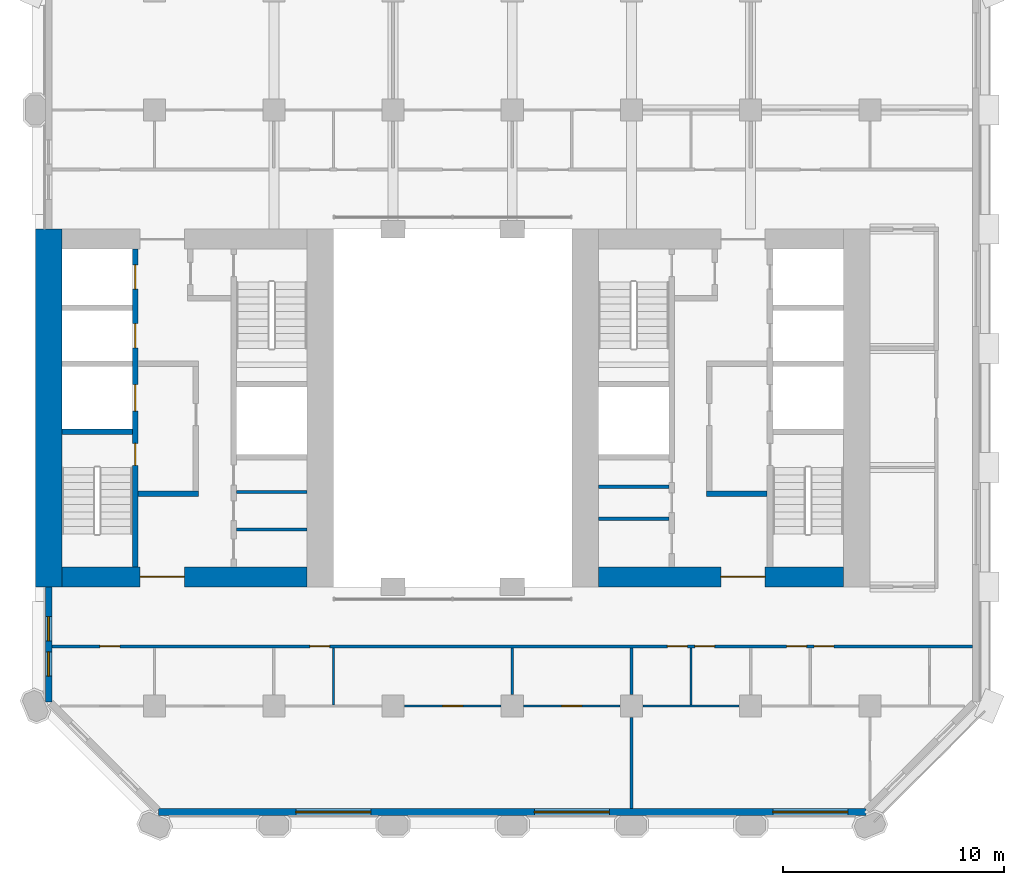
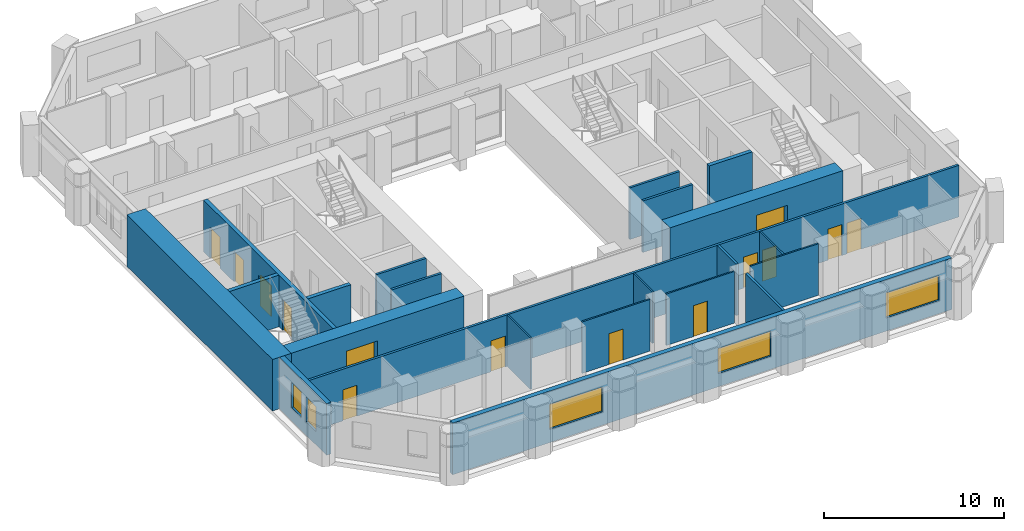
# One storey, part 4 of 11: 22 walls, 14 doors, 5 windows, 19 openings.
"""IFC4 building model written with IfcOpenShell, lengths in metres."""

from ifc_helpers import new_model, si_unit, direction, frame, frame_2d, origin, place, context, subcontext, project, spatial, rectangle, extrude, material, layer, layer_set, type_object, element, fill, save


model = new_model("IFC4")

# Units and contexts
model_context = context("Model", 3, precision=1e-05, world=origin(), true_north=direction((0.0, 1.0)))
body_context = subcontext(model_context, "Body", "Model", "MODEL_VIEW")
ifc_project = project(units=[si_unit("LENGTHUNIT", "METRE"), si_unit("AREAUNIT", "SQUARE_METRE"), si_unit("VOLUMEUNIT", "CUBIC_METRE"), si_unit("PLANEANGLEUNIT", "RADIAN"), si_unit("MASSUNIT", "GRAM", prefix="KILO")], contexts=[model_context])

# Site, building, storey
site_placement = place(None, origin())
site = spatial("IfcSite", under=ifc_project, at=site_placement, CompositionType="ELEMENT")
building_placement = place(site_placement, origin())
building = spatial("IfcBuilding", under=site, at=building_placement, Name="Tabaq Tower and Sports Hall", CompositionType="ELEMENT")
storey_placement = place(building_placement, frame((0.0, 0.0, 84.0)))
storey = spatial("IfcBuildingStorey", under=building, at=storey_placement, Name="L19", CompositionType="ELEMENT", Elevation=84.0)

# Walls
ifc_material_1 = material(Name="Blockwork", Category="masonry")
ifc_layer_1 = layer(ifc_material_1, 0.14990234375)
ifc_layer_set_1 = layer_set([ifc_layer_1], Name="Core room partition 150 Blockwork")
wall_type_1 = type_object("IfcWallType", Name="Core room partition 150 Blockwork", PredefinedType="PARTITIONING", material=ifc_layer_set_1)
for number, where, z_axis, x_axis, name in (
    (1, (14.5, 18.797119140625, 0.0), (0.0, 0.0, 1.0), (1.0, 0.0, 0.0), "Core room partition W L19"),
    (2, (14.5, 20.493896484375, 0.0), (0.0, 0.0, 1.0), (1.0, 0.0, 0.0), "Core room partition W L19"),
):
    element("IfcWall", number, at=place(storey_placement, frame(where, z_axis=z_axis, x_axis=x_axis)), inside=storey, type_object=wall_type_1, Name=name, PredefinedType="PARTITIONING", context=body_context, shape_type="SweptSolid", body=[
        extrude(rectangle(XDim=3.199951171875, YDim=0.14990234375, at=frame_2d((1.60009765625, 0.0))), origin(), (0.0, 0.0, 1.0), 3.5),
    ])
for number, where, z_axis, x_axis, name in (
    (3, (30.89990234375, 19.282958984375, 0.0), (0.0, 0.0, 1.0), (1.0, 0.0, 0.0), "Core room partition E L19"),
    (4, (30.89990234375, 20.738037109375, 0.0), (0.0, 0.0, 1.0), (1.0, 0.0, 0.0), "Core room partition E L19"),
):
    element("IfcWall", number, at=place(storey_placement, frame(where, z_axis=z_axis, x_axis=x_axis)), inside=storey, type_object=wall_type_1, Name=name, PredefinedType="PARTITIONING", context=body_context, shape_type="SweptSolid", body=[
        extrude(rectangle(XDim=3.2001953125, YDim=0.14990234375, at=frame_2d((1.60009765625, 0.0))), origin(), (0.0, 0.0, 1.0), 3.5),
    ])
ifc_material_2 = material(Name="Concrete C60/75", Category="concrete")
ifc_layer_2 = layer(ifc_material_2, 1.199951171875)
ifc_layer_set_2 = layer_set([ifc_layer_2], Name="Core wall 1200 Concrete C60/75")
wall_type_2 = type_object("IfcWallType", Name="Core wall 1200 Concrete C60/75", PredefinedType="SOLIDWALL", material=ifc_layer_set_2)
wall_1_placement = place(storey_placement, frame((6.0, 16.199951171875, 0.0), z_axis=(0.0, 0.0, 1.0), x_axis=(0.0, 1.0, 0.0)))
element("IfcWall", 5, at=wall_1_placement, inside=storey, type_object=wall_type_2, Name="Core wall W L19", PredefinedType="SOLIDWALL", context=body_context, shape_type="SweptSolid", body=[
    extrude(rectangle(XDim=16.199951171875, YDim=1.199951171875, at=frame_2d((8.10009765625, 0.0))), origin(), (0.0, 0.0, 1.0), 3.5),
])

# Wall, opening, door
ifc_material_3 = material(Name="Concrete C60/75", Category="concrete")
ifc_layer_3 = layer(ifc_material_3, 0.89990234375)
ifc_layer_set_3 = layer_set([ifc_layer_3], Name="Core wall 900 Concrete C60/75")
wall_type_3 = type_object("IfcWallType", Name="Core wall 900 Concrete C60/75", PredefinedType="SOLIDWALL", material=ifc_layer_set_3)
wall_2_placement = place(storey_placement, frame((17.699951171875, 16.64990234375, 0.0), z_axis=(0.0, 0.0, 1.0), x_axis=(-1.0, 0.0, 0.0)))
wall_2 = element("IfcWall", 6, at=wall_2_placement, inside=storey, type_object=wall_type_3, Name="Core wall W L19", PredefinedType="SOLIDWALL", context=body_context, shape_type="SweptSolid", body=[
    extrude(rectangle(XDim=11.099853515625, YDim=0.89990234375, at=frame_2d((5.5498046875, 0.0))), origin(), (0.0, 0.0, 1.0), 3.5),
])
opening_1_placement = place(wall_2_placement, frame((5.550048828125, 0.0, 0.0)))
opening_1 = element("IfcOpeningElement", 7, at=opening_1_placement, cuts=wall_2, Name="Opening PD-WL19-01", PredefinedType="OPENING", context=body_context, shape_type="SweptSolid", body=[
    extrude(rectangle(XDim=2.0, YDim=2.39990234375, at=frame_2d((1.0, 1.199951171875))), frame((0.0, 0.449951171875, 0.0), z_axis=(0.0, -1.0, 0.0), x_axis=(1.0, 0.0, 0.0)), (0.0, 0.0, 1.0), 0.89990234375),
])
ifc_material_4 = material(Name="Steel fire door", Category="steel")
door_type_1 = type_object("IfcDoorType", Name="Core entrance door 2000", OperationType="DOUBLE_DOOR_SINGLE_SWING", PredefinedType="DOOR", material=ifc_material_4)
door_1_placement = place(opening_1_placement, origin())
door_1 = element("IfcDoor", 8, at=door_1_placement, inside=storey, type_object=door_type_1, Name="Core entrance south W L19", OperationType="DOUBLE_DOOR_SINGLE_SWING", OverallHeight=2.39990234375, OverallWidth=2.0, PredefinedType="DOOR", context=body_context, shape_type="SweptSolid", body=[
    extrude(rectangle(XDim=2.0, YDim=2.39990234375, at=frame_2d((1.0, 1.199951171875))), frame((0.0, 0.02490234375, 0.0), z_axis=(0.0, -1.0, 0.0), x_axis=(1.0, 0.0, 0.0)), (0.0, 0.0, 1.0), 0.050048828125),
])
fill(opening_1, door_1)

wall_3_placement = place(storey_placement, frame((42.0, 16.64990234375, 0.0), z_axis=(0.0, 0.0, 1.0), x_axis=(-1.0, 0.0, 0.0)))
wall_3 = element("IfcWall", 9, at=wall_3_placement, inside=storey, type_object=wall_type_3, Name="Core wall E L19", PredefinedType="SOLIDWALL", context=body_context, shape_type="SweptSolid", body=[
    extrude(rectangle(XDim=11.10009765625, YDim=0.89990234375, at=frame_2d((5.550048828125, 0.0))), origin(), (0.0, 0.0, 1.0), 3.5),
])
opening_2_placement = place(wall_3_placement, frame((3.550048828125, 0.0, 0.0)))
opening_2 = element("IfcOpeningElement", 10, at=opening_2_placement, cuts=wall_3, Name="Opening PD-EL19-01", PredefinedType="OPENING", context=body_context, shape_type="SweptSolid", body=[
    extrude(rectangle(XDim=2.0, YDim=2.39990234375, at=frame_2d((1.0, 1.199951171875))), frame((0.0, 0.449951171875, 0.0), z_axis=(0.0, -1.0, 0.0), x_axis=(1.0, 0.0, 0.0)), (0.0, 0.0, 1.0), 0.89990234375),
])
door_2_placement = place(opening_2_placement, origin())
door_2 = element("IfcDoor", 11, at=door_2_placement, inside=storey, type_object=door_type_1, Name="Core entrance south E L19", OperationType="DOUBLE_DOOR_SINGLE_SWING", OverallHeight=2.39990234375, OverallWidth=2.0, PredefinedType="DOOR", context=body_context, shape_type="SweptSolid", body=[
    extrude(rectangle(XDim=2.0, YDim=2.39990234375, at=frame_2d((1.0, 1.199951171875))), frame((0.0, 0.02490234375, 0.0), z_axis=(0.0, -1.0, 0.0), x_axis=(1.0, 0.0, 0.0)), (0.0, 0.0, 1.0), 0.050048828125),
])
fill(opening_2, door_2)

# Wall
ifc_material_5 = material(Name="Gypsum board on steel studs", Category="steel")
ifc_layer_4 = layer(ifc_material_5, 0.10009765625)
ifc_layer_set_4 = layer_set([ifc_layer_4], Name="Partition 100 Gypsum board")
wall_type_4 = type_object("IfcWallType", Name="Partition 100 Gypsum board", PredefinedType="PARTITIONING", material=ifc_layer_set_4)
wall_4_placement = place(storey_placement, frame((18.89990234375, 10.85009765625, 0.0), z_axis=(0.0, 0.0, 1.0), x_axis=(0.0, 1.0, 0.0)))
element("IfcWall", 12, at=wall_4_placement, inside=storey, type_object=wall_type_4, Name="Partition wall L19", PredefinedType="PARTITIONING", context=body_context, shape_type="SweptSolid", body=[
    extrude(rectangle(XDim=2.574951171875, YDim=0.10009765625, at=frame_2d((1.28759765625, 0.0))), origin(), (0.0, 0.0, 1.0), 3.5),
])

# Wall, opening, door
wall_5_placement = place(storey_placement, frame((22.1201171875, 10.800048828125, 0.0), z_axis=(0.0, 0.0, 1.0), x_axis=(1.0, 0.0, 0.0)))
wall_5 = element("IfcWall", 13, at=wall_5_placement, inside=storey, type_object=wall_type_4, Name="Partition wall L19", PredefinedType="PARTITIONING", context=body_context, shape_type="SweptSolid", body=[
    extrude(rectangle(XDim=4.35986328125, YDim=0.10009765625, at=frame_2d((2.179931640625, 0.0))), origin(), (0.0, 0.0, 1.0), 3.5),
])
opening_3_placement = place(wall_5_placement, frame((1.72998046875, 0.0, 0.0)))
opening_3 = element("IfcOpeningElement", 14, at=opening_3_placement, cuts=wall_5, Name="Opening L19-021", PredefinedType="OPENING", context=body_context, shape_type="SweptSolid", body=[
    extrude(rectangle(XDim=0.89990234375, YDim=2.10009765625, at=frame_2d((0.449951171875, 1.050048828125))), frame((0.0, 0.050048828125, 0.0), z_axis=(0.0, -1.0, 0.0), x_axis=(1.0, 0.0, 0.0)), (0.0, 0.0, 1.0), 0.10009765625),
])
ifc_material_6 = material(Name="Timber leaf in steel frame", Category="steel")
door_type_2 = type_object("IfcDoorType", Name="Internal door 900 left hand", OperationType="SINGLE_SWING_LEFT", PredefinedType="DOOR", material=ifc_material_6)
door_3_placement = place(opening_3_placement, origin())
door_3 = element("IfcDoor", 15, at=door_3_placement, inside=storey, type_object=door_type_2, Name="Internal door L19-021", OperationType="SINGLE_SWING_LEFT", OverallHeight=2.10009765625, OverallWidth=0.89990234375, PredefinedType="DOOR", context=body_context, shape_type="SweptSolid", body=[
    extrude(rectangle(XDim=0.89990234375, YDim=2.10009765625, at=frame_2d((0.449951171875, 1.050048828125))), frame((0.0, 0.02490234375, 0.0), z_axis=(0.0, -1.0, 0.0), x_axis=(1.0, 0.0, 0.0)), (0.0, 0.0, 1.0), 0.050048828125),
])
fill(opening_3, door_3)

# Wall
wall_6_placement = place(storey_placement, frame((27.0, 11.320068359375, 0.0), z_axis=(0.0, 0.0, 1.0), x_axis=(0.0, 1.0, 0.0)))
element("IfcWall", 16, at=wall_6_placement, inside=storey, type_object=wall_type_4, Name="Partition wall L19", PredefinedType="PARTITIONING", context=body_context, shape_type="SweptSolid", body=[
    extrude(rectangle(XDim=2.10498046875, YDim=0.10009765625, at=frame_2d((1.052490234375, 0.0))), origin(), (0.0, 0.0, 1.0), 3.5),
])

# Wall, opening, door
wall_7_placement = place(storey_placement, frame((27.52001953125, 10.800048828125, 0.0), z_axis=(0.0, 0.0, 1.0), x_axis=(1.0, 0.0, 0.0)))
wall_7 = element("IfcWall", 17, at=wall_7_placement, inside=storey, type_object=wall_type_4, Name="Partition wall L19", PredefinedType="PARTITIONING", context=body_context, shape_type="SweptSolid", body=[
    extrude(rectangle(XDim=4.35986328125, YDim=0.10009765625, at=frame_2d((2.179931640625, 0.0))), origin(), (0.0, 0.0, 1.0), 3.5),
])
opening_4_placement = place(wall_7_placement, frame((1.72998046875, 0.0, 0.0)))
opening_4 = element("IfcOpeningElement", 18, at=opening_4_placement, cuts=wall_7, Name="Opening L19-022", PredefinedType="OPENING", context=body_context, shape_type="SweptSolid", body=[
    extrude(rectangle(XDim=0.89990234375, YDim=2.10009765625, at=frame_2d((0.449951171875, 1.050048828125))), frame((0.0, 0.050048828125, 0.0), z_axis=(0.0, -1.0, 0.0), x_axis=(1.0, 0.0, 0.0)), (0.0, 0.0, 1.0), 0.10009765625),
])
ifc_material_7 = material(Name="Timber leaf in steel frame", Category="steel")
door_type_3 = type_object("IfcDoorType", Name="Internal door 900 right hand", OperationType="SINGLE_SWING_RIGHT", PredefinedType="DOOR", material=ifc_material_7)
door_4_placement = place(opening_4_placement, origin())
door_4 = element("IfcDoor", 19, at=door_4_placement, inside=storey, type_object=door_type_3, Name="Internal door L19-022", OperationType="SINGLE_SWING_RIGHT", OverallHeight=2.10009765625, OverallWidth=0.89990234375, PredefinedType="DOOR", context=body_context, shape_type="SweptSolid", body=[
    extrude(rectangle(XDim=0.89990234375, YDim=2.10009765625, at=frame_2d((0.449951171875, 1.050048828125))), frame((0.0, 0.02490234375, 0.0), z_axis=(0.0, -1.0, 0.0), x_axis=(1.0, 0.0, 0.0)), (0.0, 0.0, 1.0), 0.050048828125),
])
fill(opening_4, door_4)

# Walls
wall_8_placement = place(storey_placement, frame((35.10009765625, 10.85009765625, 0.0), z_axis=(0.0, 0.0, 1.0), x_axis=(0.0, 1.0, 0.0)))
element("IfcWall", 20, at=wall_8_placement, inside=storey, type_object=wall_type_4, Name="Partition wall L19", PredefinedType="PARTITIONING", context=body_context, shape_type="SweptSolid", body=[
    extrude(rectangle(XDim=2.574951171875, YDim=0.10009765625, at=frame_2d((1.28759765625, 0.0))), origin(), (0.0, 0.0, 1.0), 3.5),
])
wall_9_placement = place(storey_placement, frame((32.919921875, 10.800048828125, 0.0), z_axis=(0.0, 0.0, 1.0), x_axis=(1.0, 0.0, 0.0)))
element("IfcWall", 21, at=wall_9_placement, inside=storey, type_object=wall_type_4, Name="Partition wall L19", PredefinedType="PARTITIONING", context=body_context, shape_type="SweptSolid", body=[
    extrude(rectangle(XDim=4.360107421875, YDim=0.10009765625, at=frame_2d((2.18017578125, 0.0))), origin(), (0.0, 0.0, 1.0), 3.5),
])

# Wall, openings, doors
ifc_material_8 = material(Name="Blockwork", Category="masonry")
ifc_layer_5 = layer(ifc_material_8, 0.14990234375)
ifc_layer_set_5 = layer_set([ifc_layer_5], Name="Separating wall 150 Blockwork")
wall_type_5 = type_object("IfcWallType", Name="Separating wall 150 Blockwork", PredefinedType="PARTITIONING", material=ifc_layer_set_5)
wall_10_placement = place(storey_placement, frame((6.15087890625, 13.5, 0.0), z_axis=(0.0, 0.0, 1.0), x_axis=(1.0, 0.0, 0.0)))
wall_10 = element("IfcWall", 22, at=wall_10_placement, inside=storey, type_object=wall_type_5, Name="Separating wall L19", PredefinedType="PARTITIONING", context=body_context, shape_type="SweptSolid", body=[
    extrude(rectangle(XDim=41.6982421875, YDim=0.14990234375, at=frame_2d((20.84912109375, 0.0))), origin(), (0.0, 0.0, 1.0), 3.5),
])
opening_5_placement = place(wall_10_placement, frame((11.678955078125, 0.0, 0.0)))
opening_5 = element("IfcOpeningElement", 23, at=opening_5_placement, cuts=wall_10, Name="Opening L19-005", PredefinedType="OPENING", context=body_context, shape_type="SweptSolid", body=[
    extrude(rectangle(XDim=0.89990234375, YDim=2.10009765625, at=frame_2d((0.449951171875, 1.050048828125))), frame((0.0, 0.074951171875, 0.0), z_axis=(0.0, -1.0, 0.0), x_axis=(1.0, 0.0, 0.0)), (0.0, 0.0, 1.0), 0.14990234375),
])
opening_6_placement = place(wall_10_placement, frame((27.87890625, 0.0, 0.0)))
opening_6 = element("IfcOpeningElement", 24, at=opening_6_placement, cuts=wall_10, Name="Opening L19-006", PredefinedType="OPENING", context=body_context, shape_type="SweptSolid", body=[
    extrude(rectangle(XDim=0.89990234375, YDim=2.10009765625, at=frame_2d((0.449951171875, 1.050048828125))), frame((0.0, 0.074951171875, 0.0), z_axis=(0.0, -1.0, 0.0), x_axis=(1.0, 0.0, 0.0)), (0.0, 0.0, 1.0), 0.14990234375),
])
opening_7_placement = place(wall_10_placement, frame((29.118896484375, 0.0, 0.0)))
opening_7 = element("IfcOpeningElement", 25, at=opening_7_placement, cuts=wall_10, Name="Opening L19-007", PredefinedType="OPENING", context=body_context, shape_type="SweptSolid", body=[
    extrude(rectangle(XDim=0.89990234375, YDim=2.10009765625, at=frame_2d((0.449951171875, 1.050048828125))), frame((0.0, 0.074951171875, 0.0), z_axis=(0.0, -1.0, 0.0), x_axis=(1.0, 0.0, 0.0)), (0.0, 0.0, 1.0), 0.14990234375),
])
opening_8_placement = place(wall_10_placement, frame((33.279052734375, 0.0, 0.0)))
opening_8 = element("IfcOpeningElement", 26, at=opening_8_placement, cuts=wall_10, Name="Opening L19-008", PredefinedType="OPENING", context=body_context, shape_type="SweptSolid", body=[
    extrude(rectangle(XDim=0.89990234375, YDim=2.10009765625, at=frame_2d((0.449951171875, 1.050048828125))), frame((0.0, 0.074951171875, 0.0), z_axis=(0.0, -1.0, 0.0), x_axis=(1.0, 0.0, 0.0)), (0.0, 0.0, 1.0), 0.14990234375),
])
opening_9_placement = place(wall_10_placement, frame((2.174072265625, 0.0, 0.0)))
opening_9 = element("IfcOpeningElement", 27, at=opening_9_placement, cuts=wall_10, Name="Opening L19-028", PredefinedType="OPENING", context=body_context, shape_type="SweptSolid", body=[
    extrude(rectangle(XDim=0.89990234375, YDim=2.10009765625, at=frame_2d((0.449951171875, 1.050048828125))), frame((0.0, 0.074951171875, 0.0), z_axis=(0.0, -1.0, 0.0), x_axis=(1.0, 0.0, 0.0)), (0.0, 0.0, 1.0), 0.14990234375),
])
opening_10_placement = place(wall_10_placement, frame((34.51904296875, 0.0, 0.0)))
opening_10 = element("IfcOpeningElement", 28, at=opening_10_placement, cuts=wall_10, Name="Opening L19-034", PredefinedType="OPENING", context=body_context, shape_type="SweptSolid", body=[
    extrude(rectangle(XDim=0.89990234375, YDim=2.10009765625, at=frame_2d((0.449951171875, 1.050048828125))), frame((0.0, 0.074951171875, 0.0), z_axis=(0.0, -1.0, 0.0), x_axis=(1.0, 0.0, 0.0)), (0.0, 0.0, 1.0), 0.14990234375),
])
ifc_material_9 = material(Name="Steel fire door", Category="steel")
door_type_4 = type_object("IfcDoorType", Name="Entrance door 900 left hand", OperationType="SINGLE_SWING_LEFT", PredefinedType="DOOR", material=ifc_material_9)
door_5_placement = place(opening_5_placement, origin())
door_5 = element("IfcDoor", 29, at=door_5_placement, inside=storey, type_object=door_type_4, Name="Entrance door L19-005", OperationType="SINGLE_SWING_LEFT", OverallHeight=2.10009765625, OverallWidth=0.89990234375, PredefinedType="DOOR", context=body_context, shape_type="SweptSolid", body=[
    extrude(rectangle(XDim=0.89990234375, YDim=2.10009765625, at=frame_2d((0.449951171875, 1.050048828125))), frame((0.0, 0.02490234375, 0.0), z_axis=(0.0, -1.0, 0.0), x_axis=(1.0, 0.0, 0.0)), (0.0, 0.0, 1.0), 0.050048828125),
])
fill(opening_5, door_5)
door_6_placement = place(opening_6_placement, origin())
door_6 = element("IfcDoor", 30, at=door_6_placement, inside=storey, type_object=door_type_4, Name="Entrance door L19-006", OperationType="SINGLE_SWING_LEFT", OverallHeight=2.10009765625, OverallWidth=0.89990234375, PredefinedType="DOOR", context=body_context, shape_type="SweptSolid", body=[
    extrude(rectangle(XDim=0.89990234375, YDim=2.10009765625, at=frame_2d((0.449951171875, 1.050048828125))), frame((0.0, 0.02490234375, 0.0), z_axis=(0.0, -1.0, 0.0), x_axis=(1.0, 0.0, 0.0)), (0.0, 0.0, 1.0), 0.050048828125),
])
fill(opening_6, door_6)
door_7_placement = place(opening_7_placement, origin())
door_7 = element("IfcDoor", 31, at=door_7_placement, inside=storey, type_object=door_type_4, Name="Entrance door L19-007", OperationType="SINGLE_SWING_LEFT", OverallHeight=2.10009765625, OverallWidth=0.89990234375, PredefinedType="DOOR", context=body_context, shape_type="SweptSolid", body=[
    extrude(rectangle(XDim=0.89990234375, YDim=2.10009765625, at=frame_2d((0.449951171875, 1.050048828125))), frame((0.0, 0.02490234375, 0.0), z_axis=(0.0, -1.0, 0.0), x_axis=(1.0, 0.0, 0.0)), (0.0, 0.0, 1.0), 0.050048828125),
])
fill(opening_7, door_7)
door_8_placement = place(opening_8_placement, origin())
door_8 = element("IfcDoor", 32, at=door_8_placement, inside=storey, type_object=door_type_4, Name="Entrance door L19-008", OperationType="SINGLE_SWING_LEFT", OverallHeight=2.10009765625, OverallWidth=0.89990234375, PredefinedType="DOOR", context=body_context, shape_type="SweptSolid", body=[
    extrude(rectangle(XDim=0.89990234375, YDim=2.10009765625, at=frame_2d((0.449951171875, 1.050048828125))), frame((0.0, 0.02490234375, 0.0), z_axis=(0.0, -1.0, 0.0), x_axis=(1.0, 0.0, 0.0)), (0.0, 0.0, 1.0), 0.050048828125),
])
fill(opening_8, door_8)
door_9_placement = place(opening_9_placement, origin())
door_9 = element("IfcDoor", 33, at=door_9_placement, inside=storey, type_object=door_type_4, Name="Entrance door L19-028", OperationType="SINGLE_SWING_LEFT", OverallHeight=2.10009765625, OverallWidth=0.89990234375, PredefinedType="DOOR", context=body_context, shape_type="SweptSolid", body=[
    extrude(rectangle(XDim=0.89990234375, YDim=2.10009765625, at=frame_2d((0.449951171875, 1.050048828125))), frame((0.0, 0.02490234375, 0.0), z_axis=(0.0, -1.0, 0.0), x_axis=(1.0, 0.0, 0.0)), (0.0, 0.0, 1.0), 0.050048828125),
])
fill(opening_9, door_9)
door_10_placement = place(opening_10_placement, origin())
door_10 = element("IfcDoor", 34, at=door_10_placement, inside=storey, type_object=door_type_4, Name="Entrance door L19-034", OperationType="SINGLE_SWING_LEFT", OverallHeight=2.10009765625, OverallWidth=0.89990234375, PredefinedType="DOOR", context=body_context, shape_type="SweptSolid", body=[
    extrude(rectangle(XDim=0.89990234375, YDim=2.10009765625, at=frame_2d((0.449951171875, 1.050048828125))), frame((0.0, 0.02490234375, 0.0), z_axis=(0.0, -1.0, 0.0), x_axis=(1.0, 0.0, 0.0)), (0.0, 0.0, 1.0), 0.050048828125),
])
fill(opening_10, door_10)

# Walls
wall_11_placement = place(storey_placement, frame((32.39990234375, 11.320068359375, 0.0), z_axis=(0.0, 0.0, 1.0), x_axis=(0.0, 1.0, 0.0)))
element("IfcWall", 35, at=wall_11_placement, inside=storey, type_object=wall_type_5, Name="Separating wall L19", PredefinedType="PARTITIONING", context=body_context, shape_type="SweptSolid", body=[
    extrude(rectangle(XDim=2.10498046875, YDim=0.14990234375, at=frame_2d((1.052490234375, 0.0))), origin(), (0.0, 0.0, 1.0), 3.5),
])
wall_12_placement = place(storey_placement, frame((32.39990234375, 6.15087890625, 0.0), z_axis=(0.0, 0.0, 1.0), x_axis=(0.0, 1.0, 0.0)))
element("IfcWall", 36, at=wall_12_placement, inside=storey, type_object=wall_type_5, Name="Separating wall L19", PredefinedType="PARTITIONING", context=body_context, shape_type="SweptSolid", body=[
    extrude(rectangle(XDim=4.129150390625, YDim=0.14990234375, at=frame_2d((2.064453125, 0.0))), origin(), (0.0, 0.0, 1.0), 3.5),
])

# Wall, openings, doors
ifc_material_10 = material(Name="Concrete C40/50", Category="concrete")
ifc_layer_6 = layer(ifc_material_10, 0.25)
ifc_layer_set_6 = layer_set([ifc_layer_6], Name="Shaft and stair wall 250 Concrete C40/50")
wall_type_6 = type_object("IfcWallType", Name="Shaft and stair wall 250 Concrete C40/50", PredefinedType="SOLIDWALL", material=ifc_layer_set_6)
wall_13_placement = place(storey_placement, frame((9.925048828125, 17.10009765625, 0.0), z_axis=(0.0, 0.0, 1.0), x_axis=(0.0, 1.0, 0.0)))
wall_13 = element("IfcWall", 37, at=wall_13_placement, inside=storey, type_object=wall_type_6, Name="Shaft wall W L19", PredefinedType="SOLIDWALL", context=body_context, shape_type="SweptSolid", body=[
    extrude(rectangle(XDim=14.39990234375, YDim=0.25, at=frame_2d((7.199951171875, 0.0))), origin(), (0.0, 0.0, 1.0), 3.5),
])
opening_11_placement = place(wall_13_placement, frame((4.60009765625, 0.0, 0.0)))
opening_11 = element("IfcOpeningElement", 38, at=opening_11_placement, cuts=wall_13, Name="Opening SD-WL19-03", PredefinedType="OPENING", context=body_context, shape_type="SweptSolid", body=[
    extrude(rectangle(XDim=1.0, YDim=2.10009765625, at=frame_2d((0.5, 1.050048828125))), frame((0.0, 0.125, 0.0), z_axis=(0.0, -1.0, 0.0), x_axis=(1.0, 0.0, 0.0)), (0.0, 0.0, 1.0), 0.25),
])
opening_12_placement = place(wall_13_placement, frame((7.0625, 0.0, 0.0)))
opening_12 = element("IfcOpeningElement", 39, at=opening_12_placement, cuts=wall_13, Name="Opening LD-FF1-L19", PredefinedType="OPENING", context=body_context, shape_type="SweptSolid", body=[
    extrude(rectangle(XDim=1.199951171875, YDim=2.10009765625, at=frame_2d((0.60009765625, 1.050048828125))), frame((0.0, 0.125, 0.0), z_axis=(0.0, -1.0, 0.0), x_axis=(1.0, 0.0, 0.0)), (0.0, 0.0, 1.0), 0.25),
])
opening_13_placement = place(wall_13_placement, frame((9.925048828125, 0.0, 0.0)))
opening_13 = element("IfcOpeningElement", 40, at=opening_13_placement, cuts=wall_13, Name="Opening LD-LR1-L19", PredefinedType="OPENING", context=body_context, shape_type="SweptSolid", body=[
    extrude(rectangle(XDim=1.10009765625, YDim=2.10009765625, at=frame_2d((0.550048828125, 1.050048828125))), frame((0.0, 0.125, 0.0), z_axis=(0.0, -1.0, 0.0), x_axis=(1.0, 0.0, 0.0)), (0.0, 0.0, 1.0), 0.25),
])
opening_14_placement = place(wall_13_placement, frame((12.58740234375, 0.0, 0.0)))
opening_14 = element("IfcOpeningElement", 41, at=opening_14_placement, cuts=wall_13, Name="Opening LD-LR2-L19", PredefinedType="OPENING", context=body_context, shape_type="SweptSolid", body=[
    extrude(rectangle(XDim=1.10009765625, YDim=2.10009765625, at=frame_2d((0.550048828125, 1.050048828125))), frame((0.0, 0.125, 0.0), z_axis=(0.0, -1.0, 0.0), x_axis=(1.0, 0.0, 0.0)), (0.0, 0.0, 1.0), 0.25),
])
ifc_material_11 = material(Name="Stainless steel", Category="steel")
door_type_5 = type_object("IfcDoorType", Name="Lift landing door 1100", OperationType="DOUBLE_DOOR_SLIDING", PredefinedType="DOOR", material=ifc_material_11)
door_11_placement = place(opening_13_placement, origin())
door_11 = element("IfcDoor", 42, at=door_11_placement, inside=storey, type_object=door_type_5, Name="Lift landing door LR1 W L19", OperationType="DOUBLE_DOOR_SLIDING", OverallHeight=2.10009765625, OverallWidth=1.10009765625, PredefinedType="DOOR", context=body_context, shape_type="SweptSolid", body=[
    extrude(rectangle(XDim=1.10009765625, YDim=2.10009765625, at=frame_2d((0.550048828125, 1.050048828125))), frame((0.0, 0.02490234375, 0.0), z_axis=(0.0, -1.0, 0.0), x_axis=(1.0, 0.0, 0.0)), (0.0, 0.0, 1.0), 0.050048828125),
])
fill(opening_13, door_11)
door_12_placement = place(opening_14_placement, origin())
door_12 = element("IfcDoor", 43, at=door_12_placement, inside=storey, type_object=door_type_5, Name="Lift landing door LR2 W L19", OperationType="DOUBLE_DOOR_SLIDING", OverallHeight=2.10009765625, OverallWidth=1.10009765625, PredefinedType="DOOR", context=body_context, shape_type="SweptSolid", body=[
    extrude(rectangle(XDim=1.10009765625, YDim=2.10009765625, at=frame_2d((0.550048828125, 1.050048828125))), frame((0.0, 0.02490234375, 0.0), z_axis=(0.0, -1.0, 0.0), x_axis=(1.0, 0.0, 0.0)), (0.0, 0.0, 1.0), 0.050048828125),
])
fill(opening_14, door_12)
ifc_material_12 = material(Name="Stainless steel", Category="steel")
door_type_6 = type_object("IfcDoorType", Name="Lift landing door 1200", OperationType="DOUBLE_DOOR_SLIDING", PredefinedType="DOOR", material=ifc_material_12)
door_13_placement = place(opening_12_placement, origin())
door_13 = element("IfcDoor", 44, at=door_13_placement, inside=storey, type_object=door_type_6, Name="Lift landing door FF1 W L19", OperationType="DOUBLE_DOOR_SLIDING", OverallHeight=2.10009765625, OverallWidth=1.199951171875, PredefinedType="DOOR", context=body_context, shape_type="SweptSolid", body=[
    extrude(rectangle(XDim=1.199951171875, YDim=2.10009765625, at=frame_2d((0.60009765625, 1.050048828125))), frame((0.0, 0.02490234375, 0.0), z_axis=(0.0, -1.0, 0.0), x_axis=(1.0, 0.0, 0.0)), (0.0, 0.0, 1.0), 0.050048828125),
])
fill(opening_12, door_13)
ifc_material_13 = material(Name="Steel fire door", Category="steel")
door_type_7 = type_object("IfcDoorType", Name="Stair door 1000", OperationType="SINGLE_SWING_LEFT", PredefinedType="DOOR", material=ifc_material_13)
door_14_placement = place(opening_11_placement, origin())
door_14 = element("IfcDoor", 45, at=door_14_placement, inside=storey, type_object=door_type_7, Name="Stair door ST1 W L19", OperationType="SINGLE_SWING_LEFT", OverallHeight=2.10009765625, OverallWidth=1.0, PredefinedType="DOOR", context=body_context, shape_type="SweptSolid", body=[
    extrude(rectangle(XDim=1.0, YDim=2.10009765625, at=frame_2d((0.5, 1.050048828125))), frame((0.0, 0.02490234375, 0.0), z_axis=(0.0, -1.0, 0.0), x_axis=(1.0, 0.0, 0.0)), (0.0, 0.0, 1.0), 0.050048828125),
])
fill(opening_11, door_14)

# Walls
wall_14_placement = place(storey_placement, frame((6.60009765625, 23.22509765625, 0.0), z_axis=(0.0, 0.0, 1.0), x_axis=(1.0, 0.0, 0.0)))
element("IfcWall", 46, at=wall_14_placement, inside=storey, type_object=wall_type_6, Name="Stair enclosure wall W L19", PredefinedType="SOLIDWALL", context=body_context, shape_type="SweptSolid", body=[
    extrude(rectangle(XDim=3.199951171875, YDim=0.25, at=frame_2d((1.60009765625, 0.0))), origin(), (0.0, 0.0, 1.0), 3.5),
])
for number, where, z_axis, x_axis, name in (
    (47, (10.050048828125, 20.425048828125, 0.0), (0.0, 0.0, 1.0), (1.0, 0.0, 0.0), "Fire-fighting lobby wall W L19"),
    (48, (35.800048828125, 20.425048828125, 0.0), (0.0, 0.0, 1.0), (1.0, 0.0, 0.0), "Fire-fighting lobby wall E L19"),
):
    element("IfcWall", number, at=place(storey_placement, frame(where, z_axis=z_axis, x_axis=x_axis)), inside=storey, type_object=wall_type_6, Name=name, PredefinedType="SOLIDWALL", context=body_context, shape_type="SweptSolid", body=[
        extrude(rectangle(XDim=2.75, YDim=0.25, at=frame_2d((1.375, 0.0))), origin(), (0.0, 0.0, 1.0), 3.5),
    ])

# Wall, openings, windows
ifc_material_14 = material(Name="White precast concrete C60/75", Category="concrete")
ifc_layer_7 = layer(ifc_material_14, 0.300048828125)
ifc_layer_set_7 = layer_set([ifc_layer_7], Name="White precast concrete C60/75 external wall 300")
wall_type_7 = type_object("IfcWallType", Name="White precast concrete C60/75 external wall 300", PredefinedType="SOLIDWALL", material=ifc_layer_set_7)
wall_15_placement = place(storey_placement, frame((10.986328125, 6.0, 0.0), z_axis=(0.0, 0.0, 1.0), x_axis=(1.0, 0.0, 0.0)))
wall_15 = element("IfcWall", 49, at=wall_15_placement, inside=storey, type_object=wall_type_7, Name="External Wall L19 S", PredefinedType="SOLIDWALL", context=body_context, shape_type="SweptSolid", body=[
    extrude(rectangle(XDim=32.02734375, YDim=0.300048828125, at=frame_2d((16.013671875, 0.0))), origin(), (0.0, 0.0, 1.0), 3.5),
])
opening_15_placement = place(wall_15_placement, frame((6.213623046875, 0.0, 0.89990234375)))
opening_15 = element("IfcOpeningElement", 50, at=opening_15_placement, cuts=wall_15, Name="Opening W1A", PredefinedType="OPENING", context=body_context, shape_type="SweptSolid", body=[
    extrude(rectangle(XDim=3.39990234375, YDim=1.699951171875, at=frame_2d((1.699951171875, 0.85009765625))), frame((0.0, 0.16015625, 0.0), z_axis=(0.0, -1.0, 0.0), x_axis=(1.0, 0.0, 0.0)), (0.0, 0.0, 1.0), 0.320068359375),
])
opening_16_placement = place(wall_15_placement, frame((17.013671875, 0.0, 0.89990234375)))
opening_16 = element("IfcOpeningElement", 51, at=opening_16_placement, cuts=wall_15, Name="Opening W1A", PredefinedType="OPENING", context=body_context, shape_type="SweptSolid", body=[
    extrude(rectangle(XDim=3.39990234375, YDim=1.699951171875, at=frame_2d((1.699951171875, 0.85009765625))), frame((0.0, 0.16015625, 0.0), z_axis=(0.0, -1.0, 0.0), x_axis=(1.0, 0.0, 0.0)), (0.0, 0.0, 1.0), 0.320068359375),
])
opening_17_placement = place(wall_15_placement, frame((27.813720703125, 0.0, 0.89990234375)))
opening_17 = element("IfcOpeningElement", 52, at=opening_17_placement, cuts=wall_15, Name="Opening W1A", PredefinedType="OPENING", context=body_context, shape_type="SweptSolid", body=[
    extrude(rectangle(XDim=3.39990234375, YDim=1.699951171875, at=frame_2d((1.699951171875, 0.85009765625))), frame((0.0, 0.16015625, 0.0), z_axis=(0.0, -1.0, 0.0), x_axis=(1.0, 0.0, 0.0)), (0.0, 0.0, 1.0), 0.320068359375),
])
ifc_material_15 = material(Name="Aluminium framed clear glazing", Category="aluminium")
window_type_1 = type_object("IfcWindowType", Name="Window W1A", PartitioningType="SINGLE_PANEL", PredefinedType="WINDOW", material=ifc_material_15)
window_1_placement = place(opening_15_placement, origin())
window_1 = element("IfcWindow", 53, at=window_1_placement, inside=storey, type_object=window_type_1, Name="Window W1A L19", OverallHeight=1.699951171875, OverallWidth=3.39990234375, PartitioningType="SINGLE_PANEL", PredefinedType="WINDOW", context=body_context, shape_type="SweptSolid", body=[
    extrude(rectangle(XDim=3.39990234375, YDim=1.699951171875, at=frame_2d((1.699951171875, 0.85009765625))), frame((0.0, 0.030029296875, 0.0), z_axis=(0.0, -1.0, 0.0), x_axis=(1.0, 0.0, 0.0)), (0.0, 0.0, 1.0), 0.06005859375),
])
fill(opening_15, window_1)
window_2_placement = place(opening_16_placement, origin())
window_2 = element("IfcWindow", 54, at=window_2_placement, inside=storey, type_object=window_type_1, Name="Window W1A L19", OverallHeight=1.699951171875, OverallWidth=3.39990234375, PartitioningType="SINGLE_PANEL", PredefinedType="WINDOW", context=body_context, shape_type="SweptSolid", body=[
    extrude(rectangle(XDim=3.39990234375, YDim=1.699951171875, at=frame_2d((1.699951171875, 0.85009765625))), frame((0.0, 0.030029296875, 0.0), z_axis=(0.0, -1.0, 0.0), x_axis=(1.0, 0.0, 0.0)), (0.0, 0.0, 1.0), 0.06005859375),
])
fill(opening_16, window_2)
window_3_placement = place(opening_17_placement, origin())
window_3 = element("IfcWindow", 55, at=window_3_placement, inside=storey, type_object=window_type_1, Name="Window W1A L19", OverallHeight=1.699951171875, OverallWidth=3.39990234375, PartitioningType="SINGLE_PANEL", PredefinedType="WINDOW", context=body_context, shape_type="SweptSolid", body=[
    extrude(rectangle(XDim=3.39990234375, YDim=1.699951171875, at=frame_2d((1.699951171875, 0.85009765625))), frame((0.0, 0.030029296875, 0.0), z_axis=(0.0, -1.0, 0.0), x_axis=(1.0, 0.0, 0.0)), (0.0, 0.0, 1.0), 0.06005859375),
])
fill(opening_17, window_3)

wall_16_placement = place(storey_placement, frame((6.0, 16.199951171875, 0.0), z_axis=(0.0, 0.0, 1.0), x_axis=(0.0, -1.0, 0.0)))
wall_16 = element("IfcWall", 56, at=wall_16_placement, inside=storey, type_object=wall_type_7, Name="External Wall L19 W", PredefinedType="SOLIDWALL", context=body_context, shape_type="SweptSolid", body=[
    extrude(rectangle(XDim=5.213623046875, YDim=0.300048828125, at=frame_2d((2.60693359375, 0.0))), origin(), (0.0, 0.0, 1.0), 3.5),
])
opening_18_placement = place(wall_16_placement, frame((1.35009765625, 0.0, 0.89990234375)))
opening_18 = element("IfcOpeningElement", 57, at=opening_18_placement, cuts=wall_16, Name="Opening W1B", PredefinedType="OPENING", context=body_context, shape_type="SweptSolid", body=[
    extrude(rectangle(XDim=1.10009765625, YDim=1.699951171875, at=frame_2d((0.550048828125, 0.85009765625))), frame((0.0, 0.16015625, 0.0), z_axis=(0.0, -1.0, 0.0), x_axis=(1.0, 0.0, 0.0)), (0.0, 0.0, 1.0), 0.320068359375),
])
opening_19_placement = place(wall_16_placement, frame((2.949951171875, 0.0, 0.89990234375)))
opening_19 = element("IfcOpeningElement", 58, at=opening_19_placement, cuts=wall_16, Name="Opening W1B", PredefinedType="OPENING", context=body_context, shape_type="SweptSolid", body=[
    extrude(rectangle(XDim=1.10009765625, YDim=1.699951171875, at=frame_2d((0.550048828125, 0.85009765625))), frame((0.0, 0.16015625, 0.0), z_axis=(0.0, -1.0, 0.0), x_axis=(1.0, 0.0, 0.0)), (0.0, 0.0, 1.0), 0.320068359375),
])
ifc_material_16 = material(Name="Aluminium framed clear glazing", Category="aluminium")
window_type_2 = type_object("IfcWindowType", Name="Window W1B", PartitioningType="SINGLE_PANEL", PredefinedType="WINDOW", material=ifc_material_16)
window_4_placement = place(opening_18_placement, origin())
window_4 = element("IfcWindow", 59, at=window_4_placement, inside=storey, type_object=window_type_2, Name="Window W1B L19", OverallHeight=1.699951171875, OverallWidth=1.10009765625, PartitioningType="SINGLE_PANEL", PredefinedType="WINDOW", context=body_context, shape_type="SweptSolid", body=[
    extrude(rectangle(XDim=1.10009765625, YDim=1.699951171875, at=frame_2d((0.550048828125, 0.85009765625))), frame((0.0, 0.030029296875, 0.0), z_axis=(0.0, -1.0, 0.0), x_axis=(1.0, 0.0, 0.0)), (0.0, 0.0, 1.0), 0.06005859375),
])
fill(opening_18, window_4)
window_5_placement = place(opening_19_placement, origin())
window_5 = element("IfcWindow", 60, at=window_5_placement, inside=storey, type_object=window_type_2, Name="Window W1B L19", OverallHeight=1.699951171875, OverallWidth=1.10009765625, PartitioningType="SINGLE_PANEL", PredefinedType="WINDOW", context=body_context, shape_type="SweptSolid", body=[
    extrude(rectangle(XDim=1.10009765625, YDim=1.699951171875, at=frame_2d((0.550048828125, 0.85009765625))), frame((0.0, 0.030029296875, 0.0), z_axis=(0.0, -1.0, 0.0), x_axis=(1.0, 0.0, 0.0)), (0.0, 0.0, 1.0), 0.06005859375),
])
fill(opening_19, window_5)

save(model, "model.ifc")
